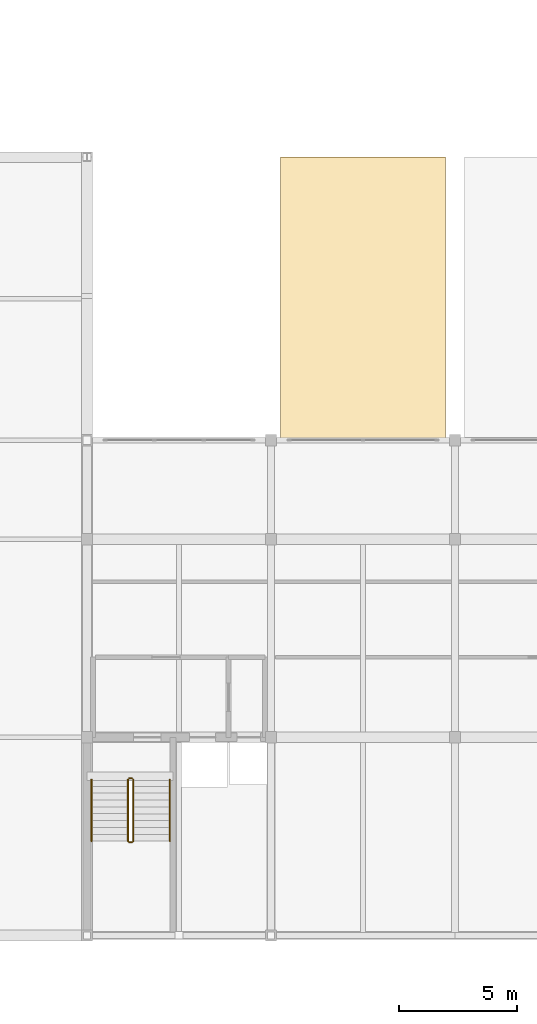
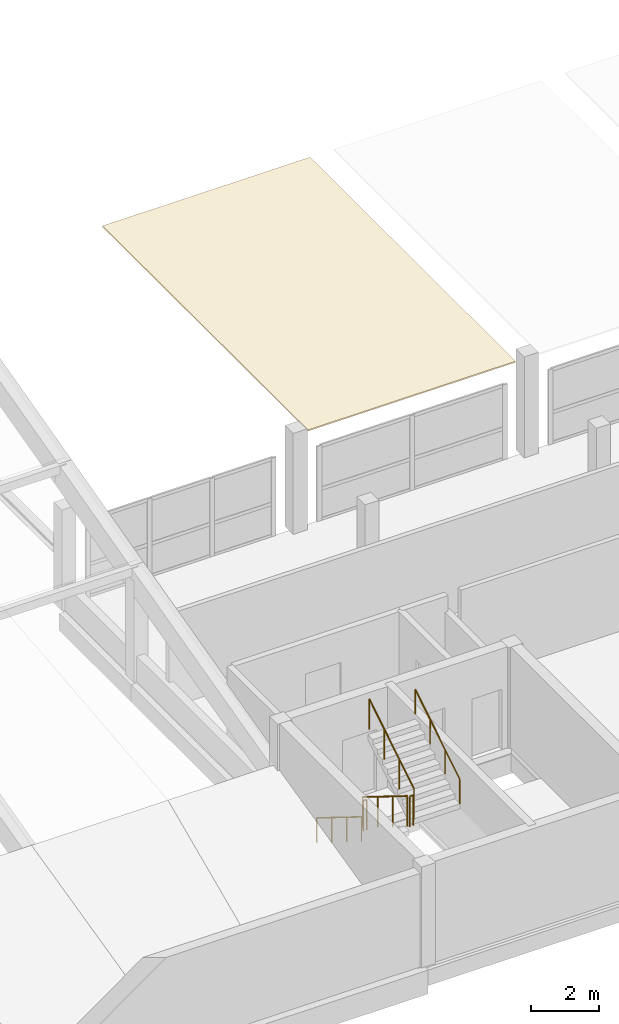
# One storey, part 48 of 51: 6 railings, 1 covering.
"""IFC4 building model written with IfcOpenShell, lengths in metres."""

import ifcopenshell
import ifcopenshell.guid

model = None  # the IFC model being written
_history = None  # IfcOwnerHistory: only IFC2X3 demands one
_inside = {}  # id of a spatial element -> (the spatial element, [elements in it])
_under = {}  # id of a project, library or spatial element -> (it, [spatial elements below it])
_declared = {}  # id of a project -> (the project, [libraries it declares])
_typed = {}  # id of a type object -> (the type object, [elements of that type])
_made_of = {}  # id of a material, layer set ... -> (it, [elements and type objects made of it])


def new_model(schema):
    """Start an empty IFC model of exactly this schema.

    Asked for "IFC4X3", IfcOpenShell would pick the latest addendum, in which some entities
    have other attributes; the version numbers below select the first issue.
    IFC2X3 requires an IfcOwnerHistory on every rooted entity: one is made here for all.
    """
    global model, _history
    if schema == "IFC4X3":
        model = ifcopenshell.file(schema_version=(4, 3, 0, 0))
    else:
        model = ifcopenshell.file(schema=schema)
    _inside.clear()
    _under.clear()
    _declared.clear()
    _typed.clear()
    _made_of.clear()
    _history = None
    if model.schema == "IFC2X3":
        org = make("IfcOrganization", Name="unknown")
        user = make(
            "IfcPersonAndOrganization",
            ThePerson=make("IfcPerson", FamilyName="unknown"),
            TheOrganization=org,
        )
        app = make(
            "IfcApplication",
            ApplicationDeveloper=org,
            Version="unknown",
            ApplicationFullName="unknown",
            ApplicationIdentifier="unknown",
        )
        _history = make(
            "IfcOwnerHistory",
            OwningUser=user,
            OwningApplication=app,
            ChangeAction="ADDED",
            CreationDate=0,
        )
    return model


def make(cls, **values):
    """One entity of the class cls with the attributes given. An attribute that is None is left unset."""
    return model.create_entity(
        cls, **{name: value for name, value in values.items() if value is not None}
    )


def rooted(cls, **values):
    """An entity with a GlobalId (a new one), such as an element, a storey or a relation."""
    return make(cls, GlobalId=ifcopenshell.guid.new(), OwnerHistory=_history, **values)


def si_unit(unit_type, name, prefix=None):
    """IfcSIUnit, for example si_unit("LENGTHUNIT", "METRE", prefix="MILLI")."""
    return make("IfcSIUnit", UnitType=unit_type, Prefix=prefix, Name=name)


def assignment(units):
    """IfcUnitAssignment: the units of a project."""
    return None if units is None else make("IfcUnitAssignment", Units=units)


def point(xyz):
    """IfcCartesianPoint."""
    return None if xyz is None else make("IfcCartesianPoint", Coordinates=xyz)


def direction(xyz):
    """IfcDirection."""
    return None if xyz is None else make("IfcDirection", DirectionRatios=xyz)


def frame(location, z_axis=None, x_axis=None):
    """IfcAxis2Placement3D, a coordinate frame: its origin and axes. An axis left out is left unset."""
    return make(
        "IfcAxis2Placement3D",
        Location=point(location),
        Axis=direction(z_axis),
        RefDirection=direction(x_axis),
    )


def frame_2d(location, x_axis=None):
    """IfcAxis2Placement2D, a coordinate frame in the plane: its origin and x axis."""
    return make(
        "IfcAxis2Placement2D", Location=point(location), RefDirection=direction(x_axis)
    )


def origin():
    """The frame at (0, 0, 0) with its axes left unset."""
    return frame((0.0, 0.0, 0.0))


def origin_2d():
    """The frame at (0, 0) in the plane with its x axis left unset."""
    return frame_2d((0.0, 0.0))


def place(relative_to, where):
    """IfcLocalPlacement: puts the frame where relative to a parent placement (None: the world)."""
    return make(
        "IfcLocalPlacement", PlacementRelTo=relative_to, RelativePlacement=where
    )


def context(
    kind, dimensions, precision=None, world=None, true_north=None, identifier=None
):
    """IfcGeometricRepresentationContext, for example the 3D "Model" context."""
    return make(
        "IfcGeometricRepresentationContext",
        ContextIdentifier=identifier,
        ContextType=kind,
        CoordinateSpaceDimension=dimensions,
        Precision=precision,
        WorldCoordinateSystem=world,
        TrueNorth=true_north,
    )


def subcontext(parent, identifier, kind, view, scale=None):
    """IfcGeometricRepresentationSubContext, for example "Body" below "Model"."""
    return make(
        "IfcGeometricRepresentationSubContext",
        ContextIdentifier=identifier,
        ContextType=kind,
        ParentContext=parent,
        TargetScale=scale,
        TargetView=view,
    )


def project(units=None, contexts=None):
    """IfcProject with its units and contexts."""
    return rooted(
        "IfcProject",
        Name="project",
        RepresentationContexts=contexts,
        UnitsInContext=assignment(units),
    )


def spatial(cls, under=None, at=None, **own):
    """A site, building, storey or space (cls), placed at a placement, below another one or the project."""
    s = rooted(cls, ObjectPlacement=at, **own)
    if under is not None:
        _under.setdefault(under.id(), (under, []))[1].append(s)
    return s


def polyline(points):
    """IfcPolyline through the points."""
    return make("IfcPolyline", Points=[point(p) for p in points])


def profile(cls, at=None, kind="AREA", **sizes):
    """A parametric profile (cls). Its sizes go by their IFC names, for example OverallWidth=200.0."""
    return make(cls, ProfileType=kind, Position=at, **sizes)


def circle(**sizes):
    """IfcCircleProfileDef."""
    return profile("IfcCircleProfileDef", **sizes)


def outline(outer, holes=None, kind="AREA"):
    """IfcArbitraryClosedProfileDef: a profile drawn as a closed curve; with holes, ...WithVoids."""
    if holes is None:
        return make("IfcArbitraryClosedProfileDef", ProfileType=kind, OuterCurve=outer)
    return make(
        "IfcArbitraryProfileDefWithVoids",
        ProfileType=kind,
        OuterCurve=outer,
        InnerCurves=holes,
    )


def extrude(swept, where, along, depth):
    """IfcExtrudedAreaSolid: the profile swept, set in the frame where, extruded along a direction by depth."""
    return make(
        "IfcExtrudedAreaSolid",
        SweptArea=swept,
        Position=where,
        ExtrudedDirection=direction(along),
        Depth=depth,
    )


def shape(context_of_items, identifier, shape_type, items):
    """IfcShapeRepresentation: the items that make up one representation, for example the "Body"."""
    return make(
        "IfcShapeRepresentation",
        ContextOfItems=context_of_items,
        RepresentationIdentifier=identifier,
        RepresentationType=shape_type,
        Items=items,
    )


def material(Name=None, Category=None):
    """IfcMaterial."""
    return make("IfcMaterial", Name=Name, Category=Category)


def layer(
    of_material, thickness, ventilated=None, Name=None, Category=None, Priority=None
):
    """IfcMaterialLayer: one layer of a wall or slab, of a material (None: an air gap)."""
    return make(
        "IfcMaterialLayer",
        Material=of_material,
        LayerThickness=thickness,
        IsVentilated=ventilated,
        Name=Name,
        Category=Category,
        Priority=Priority,
    )


def layer_set(layers, Name=None):
    """IfcMaterialLayerSet."""
    return make("IfcMaterialLayerSet", MaterialLayers=layers, LayerSetName=Name)


def made_of(thing, what):
    """Note that an element or type object is made of a material, layer set ...; save() writes the relation."""
    if what is not None:
        _made_of.setdefault(what.id(), (what, []))[1].append(thing)
    return thing


def type_object(cls, material=None, **own):
    """A type object (cls), such as IfcWallType, which elements share."""
    return made_of(rooted(cls, **own), material)


def element(
    cls,
    number,
    at=None,
    inside=None,
    cuts=None,
    type_object=None,
    material=None,
    context=None,
    identifier="Body",
    shape_type=None,
    held_by="IfcProductDefinitionShape",
    body=None,
    shapes=None,
    **own,
):
    """One element of the class cls, such as IfcWall. Its Tag is "e" and its number.

    at: its placement. inside: the storey or other place that contains it. cuts: it is an
    opening in that element (IfcRelVoidsElement). A single representation is given by context,
    identifier, shape_type and body (its items); several are given by shapes. held_by: the class
    of the entity that holds the representations. save() writes the other relations.
    """
    e = rooted(cls, Tag="e%d" % number, ObjectPlacement=at, **own)
    if body is not None:
        shapes = [shape(context, identifier, shape_type, body)]
    if shapes is not None:
        e.Representation = make(held_by, Representations=shapes)
    if inside is not None:
        _inside.setdefault(inside.id(), (inside, []))[1].append(e)
    if cuts is not None:
        rooted(
            "IfcRelVoidsElement", RelatingBuildingElement=cuts, RelatedOpeningElement=e
        )
    if type_object is not None:
        _typed.setdefault(type_object.id(), (type_object, []))[1].append(e)
    return made_of(e, material)


def aggregate(whole, parts):
    """IfcRelAggregates: a whole, such as a stair, and the parts it consists of."""
    return rooted("IfcRelAggregates", RelatingObject=whole, RelatedObjects=parts)


def save(model, path):
    """Write the relations noted so far, then the file.

    IfcRelAggregates (storeys below a building ...), IfcRelContainedInSpatialStructure (elements
    in a storey), IfcRelDefinesByType, IfcRelAssociatesMaterial and IfcRelDeclares: one each for
    every whole, place, type object, material and project.
    """
    for whole, parts in _under.values():
        aggregate(whole, parts)
    for where, things in _inside.values():
        rooted(
            "IfcRelContainedInSpatialStructure",
            RelatedElements=things,
            RelatingStructure=where,
        )
    for kind, things in _typed.values():
        rooted("IfcRelDefinesByType", RelatedObjects=things, RelatingType=kind)
    for what, things in _made_of.values():
        rooted("IfcRelAssociatesMaterial", RelatedObjects=things, RelatingMaterial=what)
    for by, libraries in _declared.values():
        rooted("IfcRelDeclares", RelatingContext=by, RelatedDefinitions=libraries)
    model.write(path)


model = new_model("IFC4")

# Units and contexts
model_context = context("Model", 3, precision=1e-05, world=origin(), true_north=direction((0.0, 1.0)))
body_context = subcontext(model_context, "Body", "Model", "MODEL_VIEW")
ifc_project = project(units=[si_unit("LENGTHUNIT", "METRE"), si_unit("AREAUNIT", "SQUARE_METRE"), si_unit("VOLUMEUNIT", "CUBIC_METRE"), si_unit("PLANEANGLEUNIT", "RADIAN"), si_unit("MASSUNIT", "GRAM", prefix="KILO")], contexts=[model_context])

# Site, building, storey
site_placement = place(None, origin())
site = spatial("IfcSite", under=ifc_project, at=site_placement, CompositionType="ELEMENT")
building_placement = place(site_placement, origin())
building = spatial("IfcBuilding", under=site, at=building_placement, Name="Vharandega Faculty of Natural Sciences", CompositionType="ELEMENT")
storey_placement = place(building_placement, frame((0.0, 0.0, 18.0)))
storey = spatial("IfcBuildingStorey", under=building, at=storey_placement, Name="L04", CompositionType="ELEMENT", Elevation=18.0)

# Railings
ifc_material_1 = material(Name="Brushed stainless steel handrail", Category="steel")
railing_type_1 = type_object("IfcRailingType", Name="Stair Tubular Handrail 900", PredefinedType="HANDRAIL", material=ifc_material_1)
railing_1_placement = place(storey_placement, frame((114.989990234375, 70.610107421875, 0.179931640625)))
element("IfcRailing", 1, at=railing_1_placement, inside=storey, type_object=railing_type_1, Name="L04 ST1 stair handrail 1", PredefinedType="HANDRAIL", context=body_context, shape_type="SweptSolid", body=[
    extrude(circle(Radius=0.02392578125, at=origin_2d()), frame((0.0, 0.0, 0.8759765625), z_axis=(0.0, -0.849632798774, 0.527374731332), x_axis=(1.0, 0.0, 0.0)), (0.0, 0.0, 1.0), 3.072021484375),
    extrude(circle(Radius=0.02099609375, at=origin_2d()), origin(), (0.0, 0.0, 1.0), 0.851806640625),
    extrude(circle(Radius=0.02099609375, at=origin_2d()), frame((0.0, -0.8701171875, 0.5400390625)), (0.0, 0.0, 1.0), 0.851806640625),
    extrude(circle(Radius=0.02099609375, at=origin_2d()), frame((0.0, -1.739990234375, 1.080078125)), (0.0, 0.0, 1.0), 0.851806640625),
    extrude(circle(Radius=0.02099609375, at=origin_2d()), frame((0.0, -2.610107421875, 1.6201171875)), (0.0, 0.0, 1.0), 0.851806640625),
])
railing_2_placement = place(storey_placement, frame((118.31005859375, 68.0, 1.97998046875)))
element("IfcRailing", 2, at=railing_2_placement, inside=storey, type_object=railing_type_1, Name="L04 ST1 stair handrail 2", PredefinedType="HANDRAIL", context=body_context, shape_type="SweptSolid", body=[
    extrude(circle(Radius=0.02392578125, at=origin_2d()), frame((0.0, 0.0, 0.8759765625), z_axis=(0.0, 0.849632798774, 0.527374731332), x_axis=(-1.0, 0.0, 0.0)), (0.0, 0.0, 1.0), 3.072021484375),
    extrude(circle(Radius=0.02099609375, at=origin_2d()), origin(), (0.0, 0.0, 1.0), 0.851806640625),
    extrude(circle(Radius=0.02099609375, at=origin_2d()), frame((0.0, 0.8701171875, 0.5400390625)), (0.0, 0.0, 1.0), 0.851806640625),
    extrude(circle(Radius=0.02099609375, at=origin_2d()), frame((0.0, 1.739990234375, 1.080078125)), (0.0, 0.0, 1.0), 0.851806640625),
    extrude(circle(Radius=0.02099609375, at=origin_2d()), frame((0.0, 2.610107421875, 1.6201171875)), (0.0, 0.0, 1.0), 0.851806640625),
])
ifc_material_2 = material(Name="Painted steel stair guardrail", Category="steel")
railing_type_2 = type_object("IfcRailingType", Name="Stairwell Steel Guardrail 1100", PredefinedType="GUARDRAIL", material=ifc_material_2)
railing_3_placement = place(storey_placement, frame((116.5400390625, 70.610107421875, 0.179931640625)))
element("IfcRailing", 3, at=railing_3_placement, inside=storey, type_object=railing_type_2, Name="L04 ST1 stair guard 1", PredefinedType="GUARDRAIL", context=body_context, shape_type="SweptSolid", body=[
    extrude(circle(Radius=0.02392578125, at=origin_2d()), frame((0.0, 0.0, 1.076171875), z_axis=(0.0, -0.849632798774, 0.527374731332), x_axis=(1.0, 0.0, 0.0)), (0.0, 0.0, 1.0), 3.072021484375),
    extrude(circle(Radius=0.02099609375, at=origin_2d()), origin(), (0.0, 0.0, 1.0), 1.052001953125),
    extrude(circle(Radius=0.02099609375, at=origin_2d()), frame((0.0, -0.8701171875, 0.5400390625)), (0.0, 0.0, 1.0), 1.052001953125),
    extrude(circle(Radius=0.02099609375, at=origin_2d()), frame((0.0, -1.739990234375, 1.080078125)), (0.0, 0.0, 1.0), 1.052001953125),
    extrude(circle(Radius=0.02099609375, at=origin_2d()), frame((0.0, -2.610107421875, 1.6201171875)), (0.0, 0.0, 1.0), 1.052001953125),
])
railing_4_placement = place(storey_placement, frame((116.590087890625, 67.949951171875, 1.800048828125)))
element("IfcRailing", 4, at=railing_4_placement, inside=storey, type_object=railing_type_2, Name="L04 ST1 stair guard 2", PredefinedType="GUARDRAIL", context=body_context, shape_type="SweptSolid", body=[
    extrude(circle(Radius=0.02392578125, at=origin_2d()), frame((0.0, 0.0, 1.076171875), z_axis=(1.0, 0.0, 0.0), x_axis=(0.0, 1.0, 0.0)), (0.0, 0.0, 1.0), 0.119873046875),
    extrude(circle(Radius=0.02099609375, at=origin_2d()), origin(), (0.0, 0.0, 1.0), 1.052001953125),
    extrude(circle(Radius=0.02099609375, at=origin_2d()), frame((0.119873046875, 0.0, 0.0)), (0.0, 0.0, 1.0), 1.052001953125),
])
railing_5_placement = place(storey_placement, frame((116.760009765625, 68.0, 1.97998046875)))
element("IfcRailing", 5, at=railing_5_placement, inside=storey, type_object=railing_type_2, Name="L04 ST1 stair guard 3", PredefinedType="GUARDRAIL", context=body_context, shape_type="SweptSolid", body=[
    extrude(circle(Radius=0.02392578125, at=origin_2d()), frame((0.0, 0.0, 1.076171875), z_axis=(0.0, 0.849632798774, 0.527374731332), x_axis=(-1.0, 0.0, 0.0)), (0.0, 0.0, 1.0), 3.072021484375),
    extrude(circle(Radius=0.02099609375, at=origin_2d()), origin(), (0.0, 0.0, 1.0), 1.052001953125),
    extrude(circle(Radius=0.02099609375, at=origin_2d()), frame((0.0, 0.8701171875, 0.5400390625)), (0.0, 0.0, 1.0), 1.052001953125),
    extrude(circle(Radius=0.02099609375, at=origin_2d()), frame((0.0, 1.739990234375, 1.080078125)), (0.0, 0.0, 1.0), 1.052001953125),
    extrude(circle(Radius=0.02099609375, at=origin_2d()), frame((0.0, 2.610107421875, 1.6201171875)), (0.0, 0.0, 1.0), 1.052001953125),
])
railing_6_placement = place(storey_placement, frame((116.590087890625, 70.659912109375, 0.0)))
element("IfcRailing", 6, at=railing_6_placement, inside=storey, type_object=railing_type_2, Name="L04 ST1 stair guard 4", PredefinedType="GUARDRAIL", context=body_context, shape_type="SweptSolid", body=[
    extrude(circle(Radius=0.02392578125, at=origin_2d()), frame((0.0, 0.0, 1.076171875), z_axis=(1.0, 0.0, 0.0), x_axis=(0.0, 1.0, 0.0)), (0.0, 0.0, 1.0), 0.119873046875),
    extrude(circle(Radius=0.02099609375, at=origin_2d()), origin(), (0.0, 0.0, 1.0), 1.052001953125),
    extrude(circle(Radius=0.02099609375, at=origin_2d()), frame((0.119873046875, 0.0, 0.0)), (0.0, 0.0, 1.0), 1.052001953125),
])

# Covering
ifc_material_3 = material(Name="Warm amber spruce timber soffit boarding", Category="wood")
ifc_layer = layer(ifc_material_3, 0.044921875, Name="Warm amber spruce timber soffit boarding")
ifc_layer_set = layer_set([ifc_layer], Name="Warm amber spruce timber soffit boarding")
covering_type = type_object("IfcCoveringType", Name="Warm Amber Spruce Soffit Boarding", PredefinedType="CEILING", material=ifc_layer_set)
covering_placement = place(storey_placement, frame((0.0, 0.0, 3.31494140625)))
element("IfcCovering", 7, at=covering_placement, inside=storey, type_object=covering_type, Name="Cantilever Warm Amber Timber Soffit Bay 1", PredefinedType="CEILING", context=body_context, shape_type="SweptSolid", body=[
    extrude(outline(polyline([(123.0, 85.0), (130.0, 85.0), (130.0, 97.0), (123.0, 97.0), (123.0, 85.0)])), origin(), (0.0, 0.0, 1.0), 0.045166015625),
])

save(model, "model.ifc")
